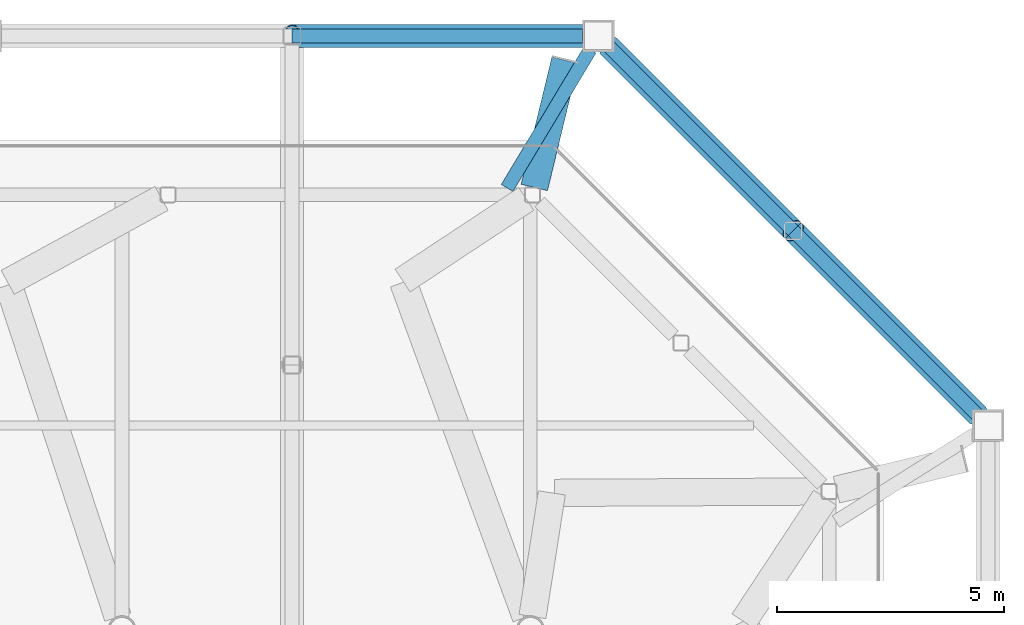
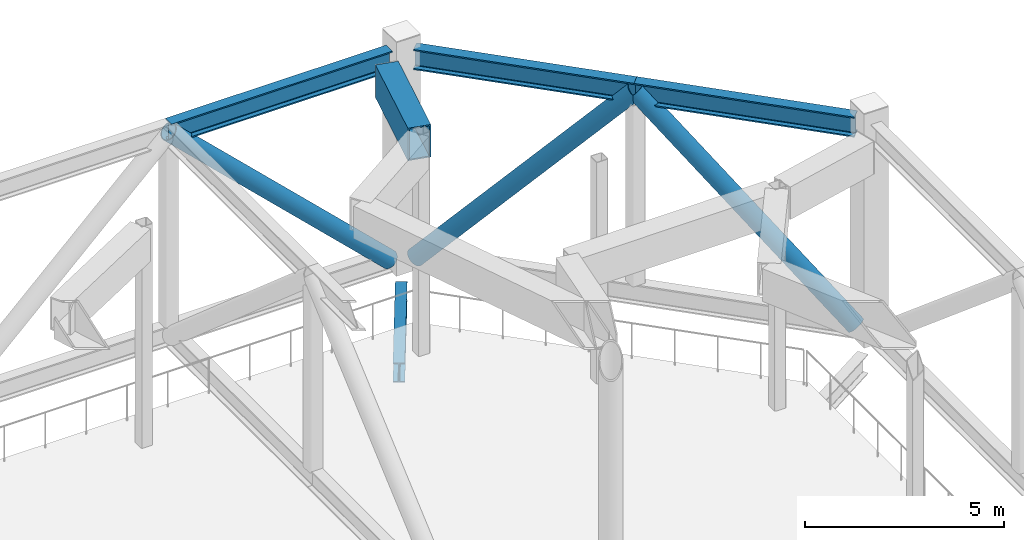
# One storey, part 6 of 17: 5 beams, 3 members.
"""IFC4 building model written with IfcOpenShell, lengths in metres."""

from ifc_helpers import new_model, si_unit, direction, frame, origin, origin_2d, place, context, subcontext, project, spatial, hollow_rectangle, hollow_circle, i_section, extrude, material, material_profile, profile_set, type_object, element, save


model = new_model("IFC4")

# Units and contexts
model_context = context("Model", 3, precision=1e-05, world=origin(), true_north=direction((0.0, 1.0)))
body_context = subcontext(model_context, "Body", "Model", "MODEL_VIEW")
ifc_project = project(units=[si_unit("LENGTHUNIT", "METRE"), si_unit("AREAUNIT", "SQUARE_METRE"), si_unit("VOLUMEUNIT", "CUBIC_METRE"), si_unit("PLANEANGLEUNIT", "RADIAN"), si_unit("MASSUNIT", "GRAM", prefix="KILO")], contexts=[model_context])

# Site, building, storey
site_placement = place(None, origin())
site = spatial("IfcSite", under=ifc_project, at=site_placement, CompositionType="ELEMENT")
building_placement = place(site_placement, origin())
building = spatial("IfcBuilding", under=site, at=building_placement, Name="Tskaro Facet Tower", CompositionType="ELEMENT")
storey_placement = place(building_placement, frame((0.0, 0.0, 210.0)))
storey = spatial("IfcBuildingStorey", under=building, at=storey_placement, Name="L54", CompositionType="ELEMENT", Elevation=210.0)

# Beam
ifc_material_1 = material(Name="Steel S355J2", Category="steel")
ifc_material_profile_1 = material_profile(ifc_material_1, hollow_rectangle(XDim=0.60009765625, YDim=1.0, WallThickness=0.0400390625, at=origin_2d()), Name="BOX 600x1000x40")
ifc_profile_set_1 = profile_set([ifc_material_profile_1], Name="Steel S355J2")
beam_type_1 = type_object("IfcBeamType", Name="BOX 600x1000x40 transfer girder", PredefinedType="BEAM", material=ifc_profile_set_1)
beam_1_placement = place(storey_placement, frame((9.7646484375, 21.550537109375, 6.280029296875), z_axis=(-0.235408899629, -0.971896419366, 0.0), x_axis=(0.971896419366, -0.235408899629, 0.0)))
element("IfcBeam", 1, at=beam_1_placement, inside=storey, type_object=beam_type_1, Name="BOX 600x1000x40 TG5-8", PredefinedType="BEAM", context=body_context, shape_type="SweptSolid", body=[
    extrude(hollow_rectangle(XDim=0.60009765625, YDim=1.0, WallThickness=0.0400390625, at=origin_2d()), origin(), (0.0, 0.0, 1.0), 2.88818359375),
])

# Members
ifc_material_2 = material(Name="Steel S355J2H", Category="steel")
ifc_material_profile_2 = material_profile(ifc_material_2, hollow_circle(Radius=0.25390625, WallThickness=0.02490234375, at=origin_2d()), Name="CHS 508x25")
ifc_profile_set_2 = profile_set([ifc_material_profile_2], Name="Steel S355J2H")
member_type = type_object("IfcMemberType", Name="CHS 508x25 belt diagonal", PredefinedType="BRACE", material=ifc_profile_set_2)
for number, where, z_axis, x_axis, name in (
    (2, (18.83740234375, 13.744384765625, 0.31005859375), (-0.48125940482, 0.48128844183, 0.732632800954), (-0.70712811203, -0.7070854497, 0.0), "CHS 508x25 BD4-061"),
    (3, (14.791015625, 17.791015625, 6.469970703125), (-0.48128844183, 0.48125940482, -0.732632800954), (-0.7070854497, -0.70712811203, 0.0), "CHS 508x25 BD4-062"),
):
    element("IfcMember", number, at=place(storey_placement, frame(where, z_axis=z_axis, x_axis=x_axis)), inside=storey, type_object=member_type, Name=name, PredefinedType="BRACE", context=body_context, shape_type="SweptSolid", body=[
        extrude(hollow_circle(Radius=0.25390625, WallThickness=0.02490234375, at=origin_2d()), origin(), (0.0, 0.0, 1.0), 8.407958984375),
    ])
member_placement = place(storey_placement, frame((10.14697265625, 22.0849609375, 0.31005859375), z_axis=(-0.720407191411, 0.0, 0.693551352506), x_axis=(0.0, -1.0, 0.0)))
element("IfcMember", 4, at=member_placement, inside=storey, type_object=member_type, Name="CHS 508x25 BD4-071", PredefinedType="BRACE", context=body_context, shape_type="SweptSolid", body=[
    extrude(hollow_circle(Radius=0.25390625, WallThickness=0.02490234375, at=origin_2d()), origin(), (0.0, 0.0, 1.0), 8.881591796875),
])

# Beams
ifc_material_profile_3 = material_profile(ifc_material_1, i_section(OverallWidth=0.300048828125, OverallDepth=0.60009765625, WebThickness=0.015380859375, FlangeThickness=0.030029296875, FilletRadius=0.027099609375, at=origin_2d()), Name="HE 600 B")
ifc_profile_set_3 = profile_set([ifc_material_profile_3], Name="Steel S355J2")
beam_type_2 = type_object("IfcBeamType", Name="HE 600 B floor strut", PredefinedType="BEAM", material=ifc_profile_set_3)
beam_2_placement = place(storey_placement, frame((10.31689453125, 21.784912109375, -0.550048828125), z_axis=(-0.514364601892, -0.857571604194, 0.0), x_axis=(0.857571604194, -0.514364601892, 0.0)))
element("IfcBeam", 5, at=beam_2_placement, inside=storey, type_object=beam_type_2, Name="HE 600 B ES4-07", PredefinedType="BEAM", context=body_context, shape_type="SweptSolid", body=[
    extrude(i_section(OverallWidth=0.300048828125, OverallDepth=0.60009765625, WebThickness=0.015380859375, FlangeThickness=0.030029296875, FilletRadius=0.027099609375, at=origin_2d()), origin(), (0.0, 0.0, 1.0), 3.558837890625),
])
ifc_material_profile_4 = material_profile(ifc_material_1, i_section(OverallWidth=0.304931640625, OverallDepth=0.6201171875, WebThickness=0.02099609375, FlangeThickness=0.0400390625, FilletRadius=0.027099609375, at=origin_2d()), Name="HE 600 M")
ifc_profile_set_4 = profile_set([ifc_material_profile_4], Name="Steel S355J2")
beam_type_3 = type_object("IfcBeamType", Name="HE 600 M belt chord", PredefinedType="BEAM", material=ifc_profile_set_4)
for number, where, z_axis, x_axis, name in (
    (6, (18.83740234375, 13.744384765625, 6.469970703125), (-0.7070854497, 0.70712811203, 0.0), (-0.70712811203, -0.7070854497, 0.0), "HE 600 M BT4-06T1"),
    (7, (14.791015625, 17.791015625, 6.469970703125), (-0.70712811203, 0.7070854497, 0.0), (-0.7070854497, -0.70712811203, 0.0), "HE 600 M BT4-06T2"),
):
    element("IfcBeam", number, at=place(storey_placement, frame(where, z_axis=z_axis, x_axis=x_axis)), inside=storey, type_object=beam_type_3, Name=name, PredefinedType="BEAM", context=body_context, shape_type="SweptSolid", body=[
        extrude(i_section(OverallWidth=0.304931640625, OverallDepth=0.6201171875, WebThickness=0.02099609375, FlangeThickness=0.0400390625, FilletRadius=0.027099609375, at=origin_2d()), origin(), (0.0, 0.0, 1.0), 5.72265625),
    ])
beam_3_placement = place(storey_placement, frame((10.14697265625, 22.0849609375, 6.469970703125), z_axis=(-1.0, 0.0, 0.0), x_axis=(0.0, -1.0, 0.0)))
element("IfcBeam", 8, at=beam_3_placement, inside=storey, type_object=beam_type_3, Name="HE 600 M BT4-07T1", PredefinedType="BEAM", context=body_context, shape_type="SweptSolid", body=[
    extrude(i_section(OverallWidth=0.304931640625, OverallDepth=0.6201171875, WebThickness=0.02099609375, FlangeThickness=0.0400390625, FilletRadius=0.027099609375, at=origin_2d()), origin(), (0.0, 0.0, 1.0), 6.3984375),
])

save(model, "model.ifc")
